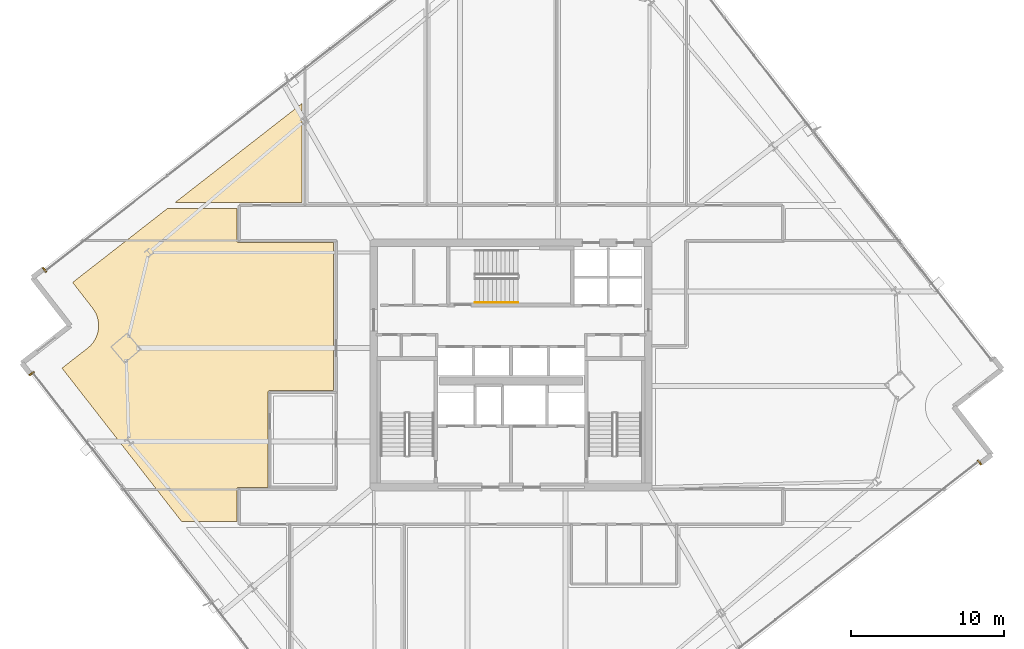
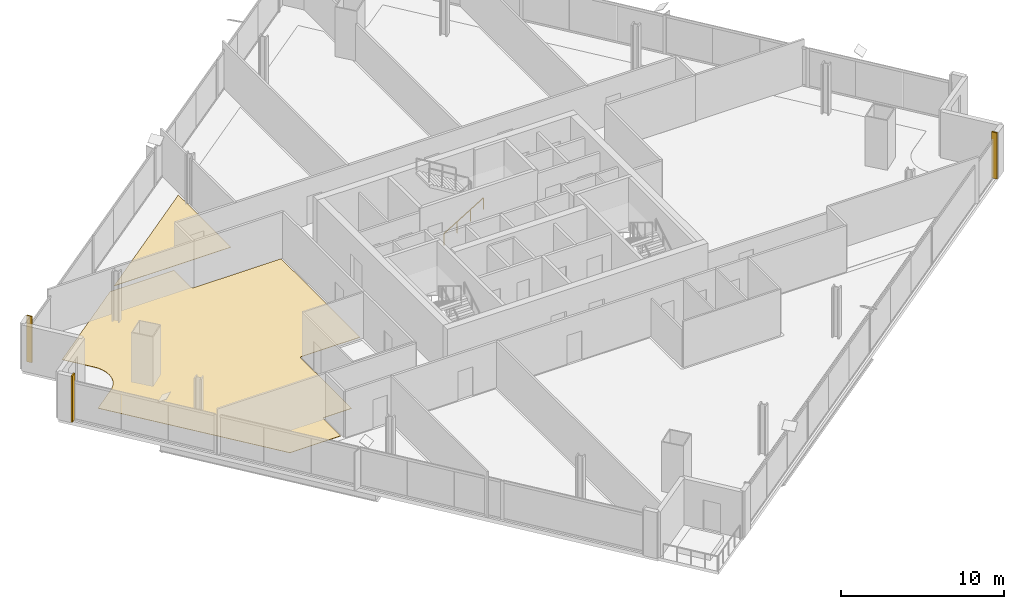
# One storey, part 30 of 32: 5 coverings, 1 railing.
"""IFC4 building model written with IfcOpenShell, lengths in metres."""

from ifc_helpers import new_model, si_unit, direction, frame, origin, origin_2d, place, context, subcontext, project, spatial, polyline, rectangle, outline, extrude, source, transform, mapped, material, layer, layer_set, type_object, element, save


model = new_model("IFC4")

# Units and contexts
model_context = context("Model", 3, precision=1e-05, world=origin(), true_north=direction((0.0, 1.0)))
body_context = subcontext(model_context, "Body", "Model", "MODEL_VIEW")
ifc_project = project(units=[si_unit("LENGTHUNIT", "METRE"), si_unit("AREAUNIT", "SQUARE_METRE"), si_unit("VOLUMEUNIT", "CUBIC_METRE"), si_unit("PLANEANGLEUNIT", "RADIAN"), si_unit("MASSUNIT", "GRAM", prefix="KILO")], contexts=[model_context])

# Site, building, storey
site_placement = place(None, origin())
site = spatial("IfcSite", under=ifc_project, at=site_placement, CompositionType="ELEMENT")
building_placement = place(site_placement, origin())
building = spatial("IfcBuilding", under=site, at=building_placement, Name="Haldenkirk Collegiate Tower", CompositionType="ELEMENT")
storey_placement = place(building_placement, frame((0.0, 0.0, 155.699951171875)))
storey = spatial("IfcBuildingStorey", under=building, at=storey_placement, Name="L38", CompositionType="ELEMENT", Elevation=155.699951171875)

# Coverings
ifc_material_1 = material(Name="Polished collegiate terrazzo", Category="concrete")
ifc_layer_1 = layer(ifc_material_1, 0.02490234375)
ifc_layer_set_1 = layer_set([ifc_layer_1], Name="Polished collegiate terrazzo")
covering_type_1 = type_object("IfcCoveringType", Name="COV-FLOOR-TERRAZZO", PredefinedType="FLOORING", material=ifc_layer_set_1)
covering_1_placement = place(storey_placement, origin())
element("IfcCovering", 1, at=covering_1_placement, inside=storey, type_object=covering_type_1, Name="L38 academic room finish 10", PredefinedType="FLOORING", context=body_context, shape_type="SweptSolid", body=[
    extrude(outline(polyline([(8.25634765625, 27.101318359375), (8.260986328125, 27.10498046875), (8.39111328125, 27.217041015625), (8.3994140625, 27.22509765625), (8.517822265625, 27.349609375), (8.525634765625, 27.3583984375), (8.63134765625, 27.493896484375), (8.637939453125, 27.50341796875), (8.72998046875, 27.6484375), (8.73583984375, 27.65869140625), (8.81298828125, 27.812255859375), (8.81787109375, 27.82275390625), (8.879638671875, 27.98291015625), (8.88330078125, 27.994140625), (8.92919921875, 28.15966796875), (8.931884765625, 28.17138671875), (8.961181640625, 28.340576171875), (8.962890625, 28.35205078125), (8.9755859375, 28.5234375), (8.975830078125, 28.53515625), (8.9716796875, 28.706787109375), (8.970703125, 28.71875), (8.94970703125, 28.88916015625), (8.94775390625, 28.900634765625), (8.91015625, 29.068115234375), (8.906982421875, 29.07958984375), (8.85302734375, 29.242919921875), (8.848876953125, 29.253662109375), (8.779296875, 29.41064453125), (8.774169921875, 29.421142578125), (8.689453125, 29.57080078125), (8.68310546875, 29.580810546875), (8.58447265625, 29.72119140625), (8.580810546875, 29.725830078125), (7.27099609375, 31.405517578125), (13.48291015625, 36.25), (18.030029296875, 36.25), (18.030029296875, 34.14990234375), (18.030517578125, 34.13818359375), (18.0322265625, 34.126708984375), (18.03515625, 34.115234375), (18.0390625, 34.10400390625), (18.044189453125, 34.093505859375), (18.05029296875, 34.083251953125), (18.05712890625, 34.073974609375), (18.065185546875, 34.065185546875), (18.073974609375, 34.05712890625), (18.083251953125, 34.05029296875), (18.093505859375, 34.044189453125), (18.10400390625, 34.0390625), (18.115234375, 34.03515625), (18.126708984375, 34.0322265625), (18.13818359375, 34.030517578125), (18.14990234375, 34.030029296875), (24.35009765625, 34.030029296875), (24.35009765625, 24.320068359375), (20.199951171875, 24.320068359375), (20.188232421875, 24.3193359375), (20.176513671875, 24.317626953125), (20.165283203125, 24.314697265625), (20.154052734375, 24.310791015625), (20.143310546875, 24.305908203125), (20.13330078125, 24.2998046875), (20.123779296875, 24.292724609375), (20.114990234375, 24.284912109375), (20.107177734375, 24.276123046875), (20.10009765625, 24.2666015625), (20.09423828125, 24.256591796875), (20.089111328125, 24.245849609375), (20.085205078125, 24.23486328125), (20.082275390625, 24.223388671875), (20.08056640625, 24.2119140625), (20.080078125, 24.199951171875), (20.080078125, 18.0), (20.08056640625, 17.98828125), (20.082275390625, 17.9765625), (20.083984375, 17.969970703125), (18.14990234375, 17.969970703125), (18.13818359375, 17.969482421875), (18.126708984375, 17.9677734375), (18.115234375, 17.96484375), (18.10400390625, 17.9609375), (18.093505859375, 17.955810546875), (18.083251953125, 17.94970703125), (18.073974609375, 17.94287109375), (18.065185546875, 17.934814453125), (18.05712890625, 17.926025390625), (18.05029296875, 17.916748046875), (18.044189453125, 17.906494140625), (18.0390625, 17.89599609375), (18.03515625, 17.884765625), (18.0322265625, 17.873291015625), (18.030517578125, 17.86181640625), (18.030029296875, 17.85009765625), (18.030029296875, 15.75), (14.40771484375, 15.75), (6.57666015625, 25.791259765625), (8.25634765625, 27.101318359375)])), origin(), (0.0, 0.0, 1.0), 0.025146484375),
])
ifc_material_2 = material(Name="Engineered collegiate oak acoustic flooring", Category="wood")
ifc_layer_2 = layer(ifc_material_2, 0.02197265625)
ifc_layer_set_2 = layer_set([ifc_layer_2], Name="Engineered collegiate oak acoustic flooring")
covering_type_2 = type_object("IfcCoveringType", Name="COV-FLOOR-TIMBER", PredefinedType="FLOORING", material=ifc_layer_set_2)
covering_2_placement = place(storey_placement, origin())
element("IfcCovering", 2, at=covering_2_placement, inside=storey, type_object=covering_type_2, Name="L38 academic room finish 05", PredefinedType="FLOORING", context=body_context, shape_type="SweptSolid", body=[
    extrude(outline(polyline([(22.300048828125, 43.126220703125), (22.300048828125, 36.64990234375), (13.995849609375, 36.64990234375), (22.300048828125, 43.126220703125)])), origin(), (0.0, 0.0, 1.0), 0.02197265625),
])

# Railing
ifc_material_3 = material(Name="Painted architectural tubular steel", Category="steel")
railing_type = type_object("IfcRailingType", Name="RLG-STAIR-HANDRAIL-900", PredefinedType="HANDRAIL", material=ifc_material_3)
railing_placement = place(storey_placement, frame((33.64990234375, 30.10009765625, 0.17041015625)))
element("IfcRailing", 3, at=railing_placement, inside=storey, type_object=railing_type, Name="L38 ST-3 stair handrail 1", PredefinedType="HANDRAIL", context=body_context, shape_type="SweptSolid", body=[
    extrude(rectangle(XDim=0.048095703125, YDim=0.048095703125, at=origin_2d()), frame((0.0, 0.0, 0.8759765625), z_axis=(0.854169791009, 0.0, 0.51999420009), x_axis=(0.0, 1.0, 0.0)), (0.0, 0.0, 1.0), 3.278076171875),
    extrude(rectangle(XDim=0.0419921875, YDim=0.0419921875, at=origin_2d()), origin(), (0.0, 0.0, 1.0), 0.851806640625),
    extrude(rectangle(XDim=0.0419921875, YDim=0.0419921875, at=origin_2d()), frame((0.933349609375, 0.0, 0.568115234375)), (0.0, 0.0, 1.0), 0.851806640625),
    extrude(rectangle(XDim=0.0419921875, YDim=0.0419921875, at=origin_2d()), frame((1.86669921875, 0.0, 1.136474609375)), (0.0, 0.0, 1.0), 0.851806640625),
    extrude(rectangle(XDim=0.0419921875, YDim=0.0419921875, at=origin_2d()), frame((2.800048828125, 0.0, 1.70458984375)), (0.0, 0.0, 1.0), 0.851806640625),
])

# Coverings
ifc_material_4 = material(Name="Anodised architectural bronze aluminium", Category="aluminium")
ifc_layer_3 = layer(ifc_material_4, 0.06005859375)
ifc_layer_set_3 = layer_set([ifc_layer_3], Name="Anodised architectural bronze aluminium")
covering_type_3 = type_object("IfcCoveringType", Name="COV-CLAD-BRONZE-60", PredefinedType="CLADDING", material=ifc_layer_set_3)
shared_shape = source(origin(), body_context, "Body", "SweptSolid", [
    extrude(rectangle(XDim=0.10009765625, YDim=0.3798828125, at=origin_2d()), origin(), (0.0, 0.0, 1.0), 3.4599609375),
])
for number, where, z_axis, x_axis, name in (
    (4, (66.68798828125, 19.611328125, 0.0), (0.0, 0.0, 1.0), (-0.788547719477, -0.614973571877, 0.0), "L38 recessed curtain-wall bronze jamb closure SJL"),
    (5, (5.43505859375, 32.23095703125, 0.0), (0.0, 0.0, 1.0), (0.788547719477, 0.614973571877, 0.0), "L38 recessed curtain-wall bronze jamb closure NJL"),
    (6, (4.594970703125, 25.43798828125, 0.0), (0.0, 0.0, 1.0), (-0.614973571877, 0.788547719477, 0.0), "L38 recessed curtain-wall bronze jamb closure WJR"),
):
    element("IfcCovering", number, at=place(storey_placement, frame(where, z_axis=z_axis, x_axis=x_axis)), inside=storey, type_object=covering_type_3, Name=name, PredefinedType="CLADDING", context=body_context, shape_type="MappedRepresentation", body=[
        mapped(shared_shape, transform((0.0, 0.0, 0.0), x_axis=(1.0, 0.0, 0.0), y_axis=(0.0, 1.0, 0.0), z_axis=(0.0, 0.0, 1.0), scale=1.0)),
    ])

save(model, "model.ifc")
